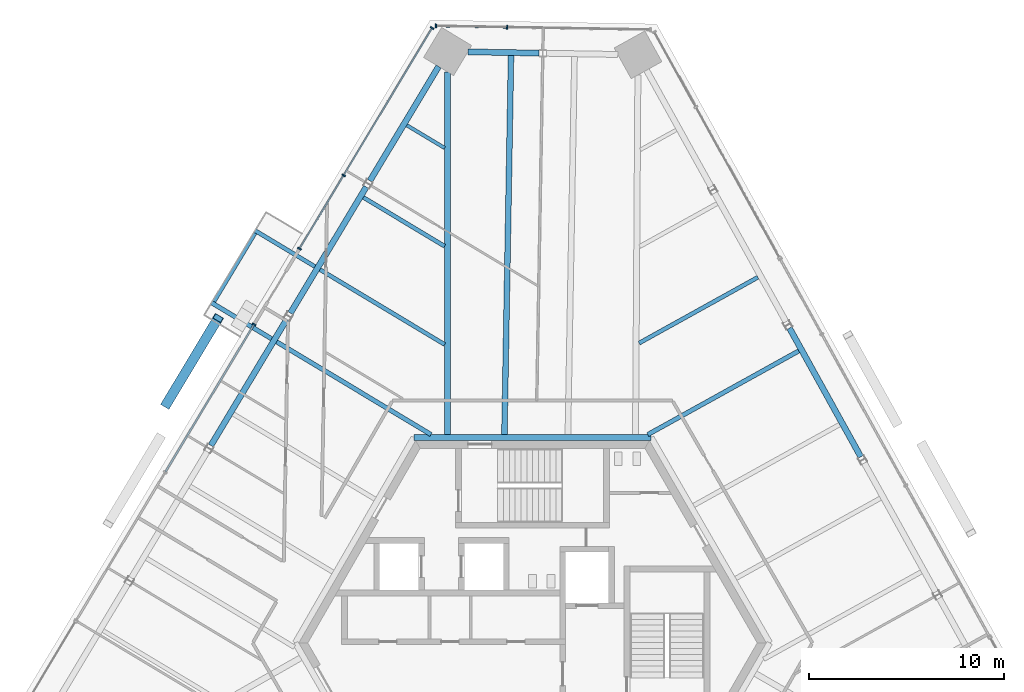
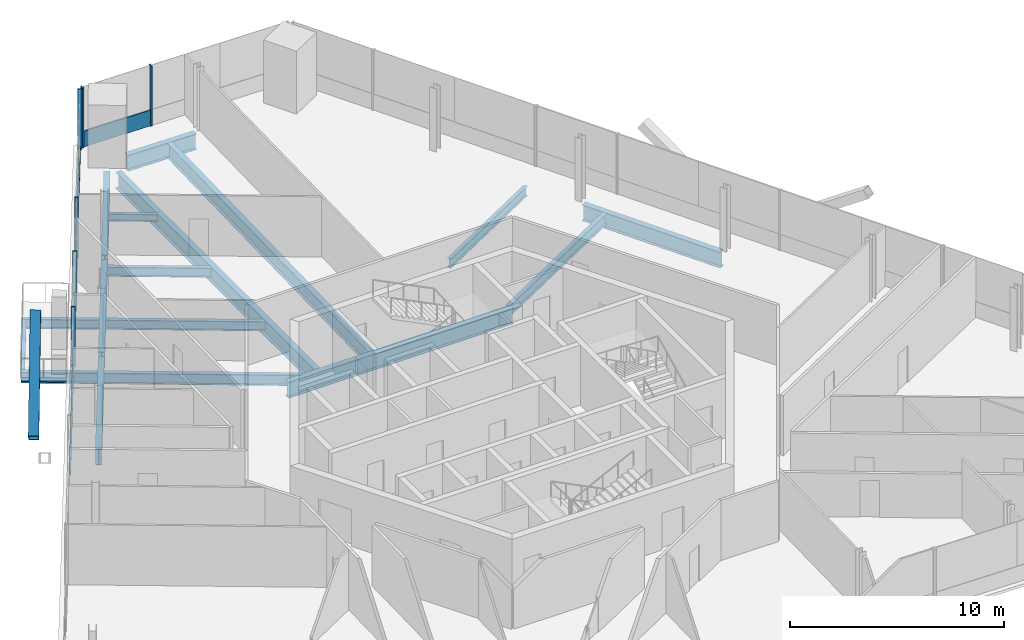
# One storey, part 8 of 18: 17 beams, 11 members, 3 elements without a shape of their own.
"""IFC4 building model written with IfcOpenShell, lengths in metres."""

from ifc_helpers import new_model, si_unit, direction, frame, origin, origin_2d, place, context, subcontext, project, spatial, rectangle, hollow_rectangle, i_section, extrude, source, transform, mapped, material, material_profile, profile_set, type_object, element, aggregate, save


model = new_model("IFC4")

# Units and contexts
model_context = context("Model", 3, precision=1e-05, world=origin(), true_north=direction((0.0, 1.0)))
body_context = subcontext(model_context, "Body", "Model", "MODEL_VIEW")
ifc_project = project(units=[si_unit("LENGTHUNIT", "METRE"), si_unit("AREAUNIT", "SQUARE_METRE"), si_unit("VOLUMEUNIT", "CUBIC_METRE"), si_unit("PLANEANGLEUNIT", "RADIAN"), si_unit("MASSUNIT", "GRAM", prefix="KILO")], contexts=[model_context])

# Site, building, storey
site_placement = place(None, origin())
site = spatial("IfcSite", under=ifc_project, at=site_placement, CompositionType="ELEMENT")
building_placement = place(site_placement, origin())
building = spatial("IfcBuilding", under=site, at=building_placement, Name="Triune Harvest Tower", CompositionType="ELEMENT")
storey_placement = place(building_placement, frame((0.0, 0.0, 197.89990234375)))
storey = spatial("IfcBuildingStorey", under=building, at=storey_placement, Name="L51", CompositionType="ELEMENT", Elevation=197.89990234375)

# Beams
ifc_material_1 = material(Name="Steel ASTM A992 Gr 50", Category="steel")
ifc_material_profile_1 = material_profile(ifc_material_1, i_section(OverallWidth=0.3046875, OverallDepth=0.914306640625, WebThickness=0.0166015625, FlangeThickness=0.02587890625, at=origin_2d()), Name="W36x160")
ifc_profile_set_1 = profile_set([ifc_material_profile_1], Name="Steel ASTM A992 Gr 50")
beam_type_1 = type_object("IfcBeamType", Name="CG-1 Core ring girder W36x160", PredefinedType="BEAM", material=ifc_profile_set_1)
shared_shape_1 = source(origin(), body_context, "Body", "SweptSolid", [
    extrude(i_section(OverallWidth=0.3046875, OverallDepth=0.914306640625, WebThickness=0.0166015625, FlangeThickness=0.02587890625, at=origin_2d()), origin(), (0.0, 0.0, 1.0), 12.17578125),
])
beam_1_placement = place(storey_placement, frame((6.087890625, 10.544677734375, -0.6171875), z_axis=(-1.0, 0.0, 0.0), x_axis=(0.0, -1.0, 0.0)))
element("IfcBeam", 1, at=beam_1_placement, inside=storey, type_object=beam_type_1, Name="beam/L51/CG2", PredefinedType="BEAM", context=body_context, shape_type="MappedRepresentation", body=[
    mapped(shared_shape_1, transform((0.0, 0.0, 0.0), scale=1.0)),
])
ifc_material_2 = material(Name="Steel ASTM A992 Gr 50", Category="steel")
ifc_material_profile_2 = material_profile(ifc_material_2, i_section(OverallWidth=0.3046875, OverallDepth=0.914306640625, WebThickness=0.0166015625, FlangeThickness=0.02587890625, at=origin_2d()), Name="W36x160")
ifc_profile_set_2 = profile_set([ifc_material_profile_2], Name="Steel ASTM A992 Gr 50")
beam_type_2 = type_object("IfcBeamType", Name="SB-1 Spandrel beam W36x160", PredefinedType="SPANDREL", material=ifc_profile_set_2)
shared_shape_2 = source(origin(), body_context, "Body", "SweptSolid", [
    extrude(i_section(OverallWidth=0.3046875, OverallDepth=0.914306640625, WebThickness=0.0166015625, FlangeThickness=0.02587890625, at=origin_2d()), origin(), (0.0, 0.0, 1.0), 7.556396484375),
])
beam_2_placement = place(storey_placement, frame((16.855712890625, 9.555419921875, -0.6171875), z_axis=(-0.484806011206, 0.874621707654, 0.0), x_axis=(-0.874621707654, -0.484806011206, 0.0)))
element("IfcBeam", 2, at=beam_2_placement, inside=storey, type_object=beam_type_2, Name="beam/L51/SB4", PredefinedType="SPANDREL", context=body_context, shape_type="MappedRepresentation", body=[
    mapped(shared_shape_2, transform((0.0, 0.0, 0.0), scale=1.0)),
])
shared_shape_3 = source(origin(), body_context, "Body", "SweptSolid", [
    extrude(i_section(OverallWidth=0.3046875, OverallDepth=0.914306640625, WebThickness=0.0166015625, FlangeThickness=0.02587890625, at=origin_2d()), origin(), (0.0, 0.0, 1.0), 3.66357421875),
])
beam_3_placement = place(storey_placement, frame((0.343017578125, 30.281494140625, -0.6171875), z_axis=(-0.999846408449, 0.01752596677, 0.0), x_axis=(-0.01752596677, -0.999846408449, 0.0)))
element("IfcBeam", 3, at=beam_3_placement, inside=storey, type_object=beam_type_2, Name="beam/L51/SB8", PredefinedType="SPANDREL", context=body_context, shape_type="MappedRepresentation", body=[
    mapped(shared_shape_3, transform((0.0, 0.0, 0.0), scale=1.0)),
])
shared_shape_4 = source(origin(), body_context, "Body", "SweptSolid", [
    extrude(i_section(OverallWidth=0.3046875, OverallDepth=0.914306640625, WebThickness=0.0166015625, FlangeThickness=0.02587890625, at=origin_2d()), origin(), (0.0, 0.0, 1.0), 6.842041015625),
])
beam_4_placement = place(storey_placement, frame((-4.822509765625, 29.59228515625, -0.6171875), z_axis=(-0.515041383774, -0.857165312527, 0.0), x_axis=(0.857165312527, -0.515041383774, 0.0)))
element("IfcBeam", 4, at=beam_4_placement, inside=storey, type_object=beam_type_2, Name="beam/L51/SB9", PredefinedType="SPANDREL", context=body_context, shape_type="MappedRepresentation", body=[
    mapped(shared_shape_4, transform((0.0, 0.0, 0.0), scale=1.0)),
])
shared_shape_5 = source(origin(), body_context, "Body", "SweptSolid", [
    extrude(i_section(OverallWidth=0.3046875, OverallDepth=0.914306640625, WebThickness=0.0166015625, FlangeThickness=0.02587890625, at=origin_2d()), origin(), (0.0, 0.0, 1.0), 7.556640625),
])
for number, where, z_axis, x_axis, name in (
    (5, (-8.537353515625, 23.409912109375, -0.6171875), (-0.515027794287, -0.857173477839, 0.0), (0.857173477839, -0.515027794287, 0.0), "beam/L51/SB10"),
    (6, (-12.6201171875, 16.614990234375, -0.6171875), (-0.515027794287, -0.857173477839, 0.0), (0.857173477839, -0.515027794287, 0.0), "beam/L51/SB11"),
):
    element("IfcBeam", number, at=place(storey_placement, frame(where, z_axis=z_axis, x_axis=x_axis)), inside=storey, type_object=beam_type_2, Name=name, PredefinedType="SPANDREL", context=body_context, shape_type="MappedRepresentation", body=[
        mapped(shared_shape_5, transform((0.0, 0.0, 0.0), scale=1.0)),
    ])
ifc_material_3 = material(Name="Steel ASTM A992 Gr 50", Category="steel")
ifc_material_profile_3 = material_profile(ifc_material_3, i_section(OverallWidth=0.307373046875, OverallDepth=0.922119140625, WebThickness=0.018310546875, FlangeThickness=0.030029296875, at=origin_2d()), Name="W36x182")
ifc_profile_set_3 = profile_set([ifc_material_profile_3], Name="Steel ASTM A992 Gr 50")
beam_type_3 = type_object("IfcBeamType", Name="HG-2 Hip girder W36x182", PredefinedType="BEAM", material=ifc_profile_set_3)
shared_shape_6 = source(origin(), body_context, "Body", "SweptSolid", [
    extrude(i_section(OverallWidth=0.307373046875, OverallDepth=0.922119140625, WebThickness=0.018310546875, FlangeThickness=0.030029296875, at=origin_2d()), origin(), (0.0, 0.0, 1.0), 18.61669921875),
])
beam_5_placement = place(storey_placement, frame((-4.359130859375, 29.313720703125, -0.620849609375), z_axis=(0.0, -1.0, 0.0), x_axis=(1.0, 0.0, 0.0)))
element("IfcBeam", 7, at=beam_5_placement, inside=storey, type_object=beam_type_3, Name="beam/L51/HG4", PredefinedType="BEAM", context=body_context, shape_type="MappedRepresentation", body=[
    mapped(shared_shape_6, transform((0.0, 0.0, 0.0), scale=1.0)),
])
ifc_material_4 = material(Name="Steel ASTM A992 Gr 50", Category="steel")
ifc_material_profile_4 = material_profile(ifc_material_4, i_section(OverallWidth=0.180908203125, OverallDepth=0.41650390625, WebThickness=0.010986328125, FlangeThickness=0.01806640625, at=origin_2d()), Name="W16x57")
ifc_profile_set_4 = profile_set([ifc_material_profile_4], Name="Steel ASTM A992 Gr 50")
beam_type_4 = type_object("IfcBeamType", Name="JT-1 Floor joist W16x57", PredefinedType="JOIST", material=ifc_profile_set_4)
shared_shape_7 = source(origin(), body_context, "Body", "SweptSolid", [
    extrude(i_section(OverallWidth=0.180908203125, OverallDepth=0.41650390625, WebThickness=0.010986328125, FlangeThickness=0.01806640625, at=origin_2d()), origin(), (0.0, 0.0, 1.0), 2.266357421875),
])
beam_6_placement = place(storey_placement, frame((-6.455322265625, 26.578857421875, -0.3681640625), z_axis=(0.857169580884, -0.515034280031, 0.0), x_axis=(0.515034280031, 0.857169580884, 0.0)))
element("IfcBeam", 8, at=beam_6_placement, inside=storey, type_object=beam_type_4, Name="beam/L51/JT13", PredefinedType="JOIST", context=body_context, shape_type="MappedRepresentation", body=[
    mapped(shared_shape_7, transform((0.0, 0.0, 0.0), scale=1.0)),
])
ifc_material_5 = material(Name="Steel ASTM A992 Gr 50", Category="steel")
ifc_material_profile_5 = material_profile(ifc_material_5, i_section(OverallWidth=0.22900390625, OverallDepth=0.612060546875, WebThickness=0.011962890625, FlangeThickness=0.01953125, at=origin_2d()), Name="W24x84")
ifc_profile_set_5 = profile_set([ifc_material_profile_5], Name="Steel ASTM A992 Gr 50")
beam_type_5 = type_object("IfcBeamType", Name="JT-3 Floor joist W24x84", PredefinedType="JOIST", material=ifc_profile_set_5)
shared_shape_8 = source(origin(), body_context, "Body", "SweptSolid", [
    extrude(i_section(OverallWidth=0.22900390625, OverallDepth=0.612060546875, WebThickness=0.011962890625, FlangeThickness=0.01953125, at=origin_2d()), origin(), (0.0, 0.0, 1.0), 9.247314453125),
])
beam_7_placement = place(storey_placement, frame((-13.136474609375, 15.459716796875, -0.466064453125), z_axis=(0.857168952485, -0.515035325872, 0.0), x_axis=(0.515035325872, 0.857168952485, 0.0)))
element("IfcBeam", 9, at=beam_7_placement, inside=storey, type_object=beam_type_5, Name="beam/L51/JT16", PredefinedType="JOIST", context=body_context, shape_type="MappedRepresentation", body=[
    mapped(shared_shape_8, transform((0.0, 0.0, 0.0), scale=1.0)),
])
shared_shape_9 = source(origin(), body_context, "Body", "SweptSolid", [
    extrude(i_section(OverallWidth=0.22900390625, OverallDepth=0.612060546875, WebThickness=0.011962890625, FlangeThickness=0.01953125, at=origin_2d()), origin(), (0.0, 0.0, 1.0), 8.85888671875),
])
beam_8_placement = place(storey_placement, frame((13.66796875, 14.991943359375, -0.466064453125), z_axis=(-0.874614472557, -0.484819063563, 0.0), x_axis=(0.484819063563, -0.874614472557, 0.0)))
element("IfcBeam", 10, at=beam_8_placement, inside=storey, type_object=beam_type_5, Name="beam/L51/JT7", PredefinedType="JOIST", context=body_context, shape_type="MappedRepresentation", body=[
    mapped(shared_shape_9, transform((0.0, 0.0, 0.0), scale=1.0)),
])
ifc_material_6 = material(Name="Steel ASTM A992 Gr 50", Category="steel")
ifc_material_profile_6 = material_profile(ifc_material_6, i_section(OverallWidth=0.2099609375, OverallDepth=0.535888671875, WebThickness=0.010986328125, FlangeThickness=0.017333984375, at=origin_2d()), Name="W21x68")
ifc_profile_set_6 = profile_set([ifc_material_profile_6], Name="Steel ASTM A992 Gr 50")
beam_type_6 = type_object("IfcBeamType", Name="JT-2 Floor joist W21x68", PredefinedType="JOIST", material=ifc_profile_set_6)
shared_shape_10 = source(origin(), body_context, "Body", "SweptSolid", [
    extrude(i_section(OverallWidth=0.2099609375, OverallDepth=0.535888671875, WebThickness=0.010986328125, FlangeThickness=0.017333984375, at=origin_2d()), origin(), (0.0, 0.0, 1.0), 6.97265625),
])
beam_9_placement = place(storey_placement, frame((11.57177734375, 18.773681640625, -0.427978515625), z_axis=(-0.874620980943, -0.484807322236, 0.0), x_axis=(0.484807322236, -0.874620980943, 0.0)))
element("IfcBeam", 11, at=beam_9_placement, inside=storey, type_object=beam_type_6, Name="beam/L51/JT8", PredefinedType="JOIST", context=body_context, shape_type="MappedRepresentation", body=[
    mapped(shared_shape_10, transform((0.0, 0.0, 0.0), scale=1.0)),
])
ifc_material_7 = material(Name="Steel ASTM A992 Gr 50", Category="steel")
ifc_material_profile_7 = material_profile(ifc_material_7, i_section(OverallWidth=0.2919921875, OverallDepth=0.8408203125, WebThickness=0.0146484375, FlangeThickness=0.021728515625, at=origin_2d()), Name="W33x130")
ifc_profile_set_7 = profile_set([ifc_material_profile_7], Name="Steel ASTM A992 Gr 50")
beam_type_7 = type_object("IfcBeamType", Name="JT-6 Floor joist W33x130", PredefinedType="JOIST", material=ifc_profile_set_7)
shared_shape_11 = source(origin(), body_context, "Body", "SweptSolid", [
    extrude(i_section(OverallWidth=0.2919921875, OverallDepth=0.8408203125, WebThickness=0.0146484375, FlangeThickness=0.021728515625, at=origin_2d()), origin(), (0.0, 0.0, 1.0), 19.460205078125),
])
beam_10_placement = place(storey_placement, frame((-1.103515625, 30.154296875, -0.580322265625), z_axis=(-0.017450947707, -0.999847720618, 0.0), x_axis=(0.999847720618, -0.017450947707, 0.0)))
element("IfcBeam", 12, at=beam_10_placement, inside=storey, type_object=beam_type_7, Name="beam/L51/JT12", PredefinedType="JOIST", context=body_context, shape_type="MappedRepresentation", body=[
    mapped(shared_shape_11, transform((0.0, 0.0, 0.0), scale=1.0)),
])
shared_shape_12 = source(origin(), body_context, "Body", "SweptSolid", [
    extrude(i_section(OverallWidth=0.2099609375, OverallDepth=0.535888671875, WebThickness=0.010986328125, FlangeThickness=0.017333984375, at=origin_2d()), origin(), (0.0, 0.0, 1.0), 4.864501953125),
])
beam_11_placement = place(storey_placement, frame((-8.682373046875, 22.87255859375, -0.427978515625), z_axis=(0.857169483424, -0.515034442233, 0.0), x_axis=(0.515034442233, 0.857169483424, 0.0)))
element("IfcBeam", 13, at=beam_11_placement, inside=storey, type_object=beam_type_6, Name="beam/L51/JT14", PredefinedType="JOIST", context=body_context, shape_type="MappedRepresentation", body=[
    mapped(shared_shape_12, transform((0.0, 0.0, 0.0), scale=1.0)),
])
shared_shape_13 = source(origin(), body_context, "Body", "SweptSolid", [
    extrude(i_section(OverallWidth=0.2099609375, OverallDepth=0.535888671875, WebThickness=0.010986328125, FlangeThickness=0.017333984375, at=origin_2d()), origin(), (0.0, 0.0, 1.0), 7.462646484375),
])
beam_12_placement = place(storey_placement, frame((-10.909423828125, 19.166259765625, -0.427978515625), z_axis=(0.857169453827, -0.515034491492, 0.0), x_axis=(0.515034491492, 0.857169453827, 0.0)))
element("IfcBeam", 14, at=beam_12_placement, inside=storey, type_object=beam_type_6, Name="beam/L51/JT15", PredefinedType="JOIST", context=body_context, shape_type="MappedRepresentation", body=[
    mapped(shared_shape_13, transform((0.0, 0.0, 0.0), scale=1.0)),
])

# Member
ifc_material_8 = material(Name="Steel ASTM A572 Gr 50", Category="steel")
ifc_material_profile_8 = material_profile(ifc_material_8, hollow_rectangle(XDim=0.5, YDim=0.5, WallThickness=0.030029296875, at=origin_2d()), Name="Box 500x500x30")
ifc_profile_set_8 = profile_set([ifc_material_profile_8], Name="Steel ASTM A572 Gr 50")
member_type_1 = type_object("IfcMemberType", Name="BR-3 Brace Box 500x500x30", PredefinedType="BRACE", material=ifc_profile_set_8)
shared_shape_14 = source(origin(), body_context, "Body", "SweptSolid", [
    extrude(hollow_rectangle(XDim=0.5, YDim=0.5, WallThickness=0.030029296875, at=origin_2d()), origin(), (0.0, 0.0, 1.0), 6.302734375),
])
member_1_placement = place(storey_placement, frame((-18.807861328125, 12.242919921875, 0.0), z_axis=(0.422753164689, 0.703581499304, 0.571185465136), x_axis=(-0.857167973286, 0.515036955541, 0.0)))
element("IfcMember", 15, at=member_1_placement, inside=storey, type_object=member_type_1, Name="brace/B5-F3/d2/6", PredefinedType="BRACE", context=body_context, shape_type="MappedRepresentation", body=[
    mapped(shared_shape_14, transform((0.0, 0.0, 0.0), scale=1.0)),
])

# Beam
ifc_material_9 = material(Name="Steel ASTM A992 Gr 50", Category="steel")
ifc_material_profile_9 = material_profile(ifc_material_9, i_section(OverallWidth=0.22900390625, OverallDepth=0.612060546875, WebThickness=0.011962890625, FlangeThickness=0.01953125, at=origin_2d()), Name="W24x84")
ifc_profile_set_9 = profile_set([ifc_material_profile_9], Name="Steel ASTM A992 Gr 50")
beam_type_8 = type_object("IfcBeamType", Name="BJ-3 Balcony cantilever joist W24x84", PredefinedType="JOIST", material=ifc_profile_set_9)
shared_shape_15 = source(origin(), body_context, "Body", "SweptSolid", [
    extrude(i_section(OverallWidth=0.22900390625, OverallDepth=0.612060546875, WebThickness=0.011962890625, FlangeThickness=0.01953125, at=origin_2d()), origin(), (0.0, 0.0, 1.0), 3.59765625),
])
beam_13_placement = place(storey_placement, frame((-13.397705078125, 15.61669921875, -0.466064453125), z_axis=(-0.857151436467, 0.515064476509, 0.0), x_axis=(-0.515064476509, -0.857151436467, 0.0)))
element("IfcBeam", 16, at=beam_13_placement, inside=storey, type_object=beam_type_8, Name="Balcony cantilever joist B5-F3 L51.4b", PredefinedType="JOIST", context=body_context, shape_type="MappedRepresentation", body=[
    mapped(shared_shape_15, transform((0.0, 0.0, 0.0), scale=1.0)),
])

# Curtain wall, members
ifc_material_10 = material(Name="Aluminium bronze anodised", Category="aluminium")
curtain_wall_type_1 = type_object("IfcCurtainWallType", Name="CW-1 Tower stick curtain wall", PredefinedType="NOTDEFINED", material=ifc_material_10)
curtain_wall_1_placement = place(storey_placement, origin())
curtain_wall_1 = element("IfcCurtainWall", 17, at=curtain_wall_1_placement, inside=storey, type_object=curtain_wall_type_1, Name="CW-1 B5-F2 L51 run 1")
ifc_material_11 = material(Name="Aluminium bronze anodised", Category="aluminium")
ifc_material_profile_10 = material_profile(ifc_material_11, rectangle(XDim=0.199951171875, YDim=0.074951171875, at=origin_2d()), Name="MU-1 mullion 75 x 200")
ifc_profile_set_10 = profile_set([ifc_material_profile_10], Name="Aluminium bronze anodised")
member_type_2 = type_object("IfcMemberType", Name="MU-1 mullion 75 x 200", PredefinedType="MULLION", material=ifc_profile_set_10)
shared_shape_16 = source(origin(), body_context, "Body", "SweptSolid", [
    extrude(rectangle(XDim=0.199951171875, YDim=0.074951171875, at=origin_2d()), origin(), (0.0, 0.0, 1.0), 3.440185546875),
])
member_2_placement = place(storey_placement, frame((-1.298583984375, 31.612548828125, 0.0), z_axis=(0.0, 0.0, 1.0), x_axis=(-0.017446318452, -0.999847801404, 0.0)))
member_2 = element("IfcMember", 18, at=member_2_placement, type_object=member_type_2, Name="CW-1 mullion B5-F2 1.3", PredefinedType="MULLION", context=body_context, shape_type="MappedRepresentation", body=[
    mapped(shared_shape_16, transform((0.0, 0.0, 0.0), scale=1.0)),
])
member_3_placement = place(storey_placement, frame((-4.960693359375, 31.676513671875, 0.0), z_axis=(0.0, 0.0, 1.0), x_axis=(-0.017446318452, -0.999847801404, 0.0)))
member_3 = element("IfcMember", 19, at=member_3_placement, type_object=member_type_2, Name="CW-1 mullion B5-F2 1.4", PredefinedType="MULLION", context=body_context, shape_type="MappedRepresentation", body=[
    mapped(shared_shape_16, transform((0.0, 0.0, 0.0), scale=1.0)),
])

ifc_material_12 = material(Name="Aluminium bronze anodised", Category="aluminium")
curtain_wall_type_2 = type_object("IfcCurtainWallType", Name="CW-6 Balcony window wall", PredefinedType="NOTDEFINED", material=ifc_material_12)
curtain_wall_2_placement = place(storey_placement, origin())
curtain_wall_2 = element("IfcCurtainWall", 20, at=curtain_wall_2_placement, inside=storey, type_object=curtain_wall_type_2, Name="CW-6 B5-F3 L51 run 1")
ifc_material_13 = material(Name="Aluminium bronze anodised", Category="aluminium")
ifc_material_profile_11 = material_profile(ifc_material_13, rectangle(XDim=0.199951171875, YDim=0.074951171875, at=origin_2d()), Name="MU-6 mullion 75 x 200")
ifc_profile_set_11 = profile_set([ifc_material_profile_11], Name="Aluminium bronze anodised")
member_type_3 = type_object("IfcMemberType", Name="MU-6 mullion 75 x 200", PredefinedType="MULLION", material=ifc_profile_set_11)
shared_shape_17 = source(origin(), body_context, "Body", "SweptSolid", [
    extrude(rectangle(XDim=0.199951171875, YDim=0.074951171875, at=origin_2d()), origin(), (0.0, 0.0, 1.0), 3.440185546875),
])
member_4_placement = place(storey_placement, frame((-5.15380859375, 31.5693359375, 0.0), z_axis=(0.0, 0.0, 1.0), x_axis=(0.857168167557, -0.515036632219, 0.0)))
member_4 = element("IfcMember", 21, at=member_4_placement, type_object=member_type_3, Name="CW-6 mullion B5-F3 1.1", PredefinedType="MULLION", context=body_context, shape_type="MappedRepresentation", body=[
    mapped(shared_shape_17, transform((0.0, 0.0, 0.0), scale=1.0)),
])
member_5_placement = place(storey_placement, frame((-9.6982421875, 24.006103515625, 0.0), z_axis=(0.0, 0.0, 1.0), x_axis=(0.857168167557, -0.515036632219, 0.0)))
member_5 = element("IfcMember", 22, at=member_5_placement, type_object=member_type_3, Name="CW-6 mullion B5-F3 1.3", PredefinedType="MULLION", context=body_context, shape_type="MappedRepresentation", body=[
    mapped(shared_shape_17, transform((0.0, 0.0, 0.0), scale=1.0)),
])
member_6_placement = place(storey_placement, frame((-11.9609375, 20.240234375, 0.0), z_axis=(0.0, 0.0, 1.0), x_axis=(0.857168167557, -0.515036632219, 0.0)))
member_6 = element("IfcMember", 23, at=member_6_placement, type_object=member_type_3, Name="CW-6 mullion B5-F3 1.4", PredefinedType="MULLION", context=body_context, shape_type="MappedRepresentation", body=[
    mapped(shared_shape_17, transform((0.0, 0.0, 0.0), scale=1.0)),
])

# Curtain wall, member
ifc_material_14 = material(Name="Aluminium bronze anodised", Category="aluminium")
curtain_wall_type_3 = type_object("IfcCurtainWallType", Name="CW-10 Balcony window wall with insulated spandrel infill", PredefinedType="NOTDEFINED", material=ifc_material_14)
curtain_wall_3_placement = place(storey_placement, origin())
curtain_wall_3 = element("IfcCurtainWall", 24, at=curtain_wall_3_placement, inside=storey, type_object=curtain_wall_type_3, Name="CW-10 B5-F3 L51 run 2")
member_7_placement = place(storey_placement, frame((-14.296875, 16.3525390625, 0.0), z_axis=(0.0, 0.0, 1.0), x_axis=(0.857167092928, -0.515038420705, 0.0)))
member_7 = element("IfcMember", 25, at=member_7_placement, type_object=member_type_3, Name="CW-10 mullion B5-F3 2.1", PredefinedType="MULLION", context=body_context, shape_type="MappedRepresentation", body=[
    mapped(shared_shape_17, transform((0.0, 0.0, 0.0), scale=1.0)),
])

# Beam
ifc_material_15 = material(Name="Steel ASTM A992 Gr 50", Category="steel")
ifc_material_profile_12 = material_profile(ifc_material_15, i_section(OverallWidth=0.2099609375, OverallDepth=0.535888671875, WebThickness=0.010986328125, FlangeThickness=0.017333984375, at=origin_2d()), Name="W21x68")
ifc_profile_set_12 = profile_set([ifc_material_profile_12], Name="Steel ASTM A992 Gr 50")
beam_type_9 = type_object("IfcBeamType", Name="BJ-2 Balcony cantilever joist W21x68", PredefinedType="JOIST", material=ifc_profile_set_12)
shared_shape_18 = source(origin(), body_context, "Body", "SweptSolid", [
    extrude(i_section(OverallWidth=0.2099609375, OverallDepth=0.535888671875, WebThickness=0.010986328125, FlangeThickness=0.017333984375, at=origin_2d()), origin(), (0.0, 0.0, 1.0), 3.59765625),
])
beam_14_placement = place(storey_placement, frame((-11.170654296875, 19.3232421875, -0.427978515625), z_axis=(-0.857181395869, 0.515014615886, 0.0), x_axis=(-0.515014615886, -0.857181395869, 0.0)))
element("IfcBeam", 26, at=beam_14_placement, inside=storey, type_object=beam_type_9, Name="Balcony cantilever joist B5-F3 L51.4a", PredefinedType="JOIST", context=body_context, shape_type="MappedRepresentation", body=[
    mapped(shared_shape_18, transform((0.0, 0.0, 0.0), scale=1.0)),
])

# Member
ifc_material_16 = material(Name="Aluminium bronze anodised", Category="aluminium")
ifc_material_profile_13 = material_profile(ifc_material_16, rectangle(XDim=0.090087890625, YDim=0.89990234375, at=origin_2d()), Name="TR-1 transom 90 x 900")
ifc_profile_set_13 = profile_set([ifc_material_profile_13], Name="Aluminium bronze anodised")
member_type_4 = type_object("IfcMemberType", Name="TR-1 transom 90 x 900", PredefinedType="USERDEFINED", material=ifc_profile_set_13)
shared_shape_19 = source(origin(), body_context, "Body", "SweptSolid", [
    extrude(rectangle(XDim=0.090087890625, YDim=0.89990234375, at=origin_2d()), origin(), (0.0, 0.0, 1.0), 3.58740234375),
])
member_8_placement = place(storey_placement, frame((-1.336181640625, 31.61328125, 0.4501953125), z_axis=(-0.999848228853, 0.017421804151, 0.0), x_axis=(-0.017421804151, -0.999848228853, 0.0)))
member_8 = element("IfcMember", 27, at=member_8_placement, type_object=member_type_4, Name="CW-1 transom B5-F2 1.2", ObjectType="TRANSOM", PredefinedType="USERDEFINED", context=body_context, shape_type="MappedRepresentation", body=[
    mapped(shared_shape_19, transform((0.0, 0.0, 0.0), scale=1.0)),
])

aggregate(curtain_wall_1, [member_2, member_3, member_8])

ifc_material_17 = material(Name="Aluminium bronze anodised", Category="aluminium")
ifc_material_profile_14 = material_profile(ifc_material_17, rectangle(XDim=0.090087890625, YDim=0.14990234375, at=origin_2d()), Name="TR-6 transom 90 x 150")
ifc_profile_set_14 = profile_set([ifc_material_profile_14], Name="Aluminium bronze anodised")
member_type_5 = type_object("IfcMemberType", Name="TR-6 transom 90 x 150", PredefinedType="USERDEFINED", material=ifc_profile_set_14)
shared_shape_20 = source(origin(), body_context, "Body", "SweptSolid", [
    extrude(rectangle(XDim=0.090087890625, YDim=0.14990234375, at=origin_2d()), origin(), (0.0, 0.0, 1.0), 8.748779296875),
])
member_9_placement = place(storey_placement, frame((-5.173095703125, 31.537353515625, 0.0751953125), z_axis=(-0.515025042297, -0.857175131351, 0.0), x_axis=(0.857175131351, -0.515025042297, 0.0)))
member_9 = element("IfcMember", 28, at=member_9_placement, type_object=member_type_5, Name="CW-6 transom B5-F3 1.1", ObjectType="TRANSOM", PredefinedType="USERDEFINED", context=body_context, shape_type="MappedRepresentation", body=[
    mapped(shared_shape_20, transform((0.0, 0.0, 0.0), scale=1.0)),
])

shared_shape_21 = source(origin(), body_context, "Body", "SweptSolid", [
    extrude(rectangle(XDim=0.090087890625, YDim=0.14990234375, at=origin_2d()), origin(), (0.0, 0.0, 1.0), 4.318359375),
])
member_10_placement = place(storey_placement, frame((-9.717529296875, 23.973876953125, 0.0751953125), z_axis=(-0.515052703283, -0.857158510919, 0.0), x_axis=(0.857158510919, -0.515052703283, 0.0)))
member_10 = element("IfcMember", 29, at=member_10_placement, type_object=member_type_5, Name="CW-6 transom B5-F3 1.2", ObjectType="TRANSOM", PredefinedType="USERDEFINED", context=body_context, shape_type="MappedRepresentation", body=[
    mapped(shared_shape_21, transform((0.0, 0.0, 0.0), scale=1.0)),
])

aggregate(curtain_wall_2, [member_4, member_5, member_6, member_9, member_10])

# Beam
ifc_material_18 = material(Name="Steel ASTM A992 Gr 50", Category="steel")
ifc_material_profile_15 = material_profile(ifc_material_18, i_section(OverallWidth=0.180908203125, OverallDepth=0.41650390625, WebThickness=0.010986328125, FlangeThickness=0.01806640625, at=origin_2d()), Name="W16x57")
ifc_profile_set_15 = profile_set([ifc_material_profile_15], Name="Steel ASTM A992 Gr 50")
beam_type_10 = type_object("IfcBeamType", Name="BE-1 balcony edge beam W16x57", PredefinedType="BEAM", material=ifc_profile_set_15)
shared_shape_22 = source(origin(), body_context, "Body", "SweptSolid", [
    extrude(i_section(OverallWidth=0.180908203125, OverallDepth=0.41650390625, WebThickness=0.010986328125, FlangeThickness=0.01806640625, at=origin_2d()), origin(), (0.0, 0.0, 1.0), 4.1044921875),
])
beam_15_placement = place(storey_placement, frame((-16.344970703125, 17.521240234375, -0.3681640625), z_axis=(0.51499426671, 0.857193621801, 0.0), x_axis=(-0.857193621801, 0.51499426671, 0.0)))
element("IfcBeam", 30, at=beam_15_placement, inside=storey, type_object=beam_type_10, Name="Balcony edge beam B5-F3 L51.4", PredefinedType="BEAM", context=body_context, shape_type="MappedRepresentation", body=[
    mapped(shared_shape_22, transform((0.0, 0.0, 0.0), scale=1.0)),
])

# Member
shared_shape_23 = source(origin(), body_context, "Body", "SweptSolid", [
    extrude(rectangle(XDim=0.090087890625, YDim=0.14990234375, at=origin_2d()), origin(), (0.0, 0.0, 1.0), 8.782958984375),
])
member_11_placement = place(storey_placement, frame((-14.316162109375, 16.3203125, 0.0751953125), z_axis=(-0.515055679002, -0.857156722851, 0.0), x_axis=(0.857156722851, -0.515055679002, 0.0)))
member_11 = element("IfcMember", 31, at=member_11_placement, type_object=member_type_5, Name="CW-10 transom B5-F3 2.1", ObjectType="TRANSOM", PredefinedType="USERDEFINED", context=body_context, shape_type="MappedRepresentation", body=[
    mapped(shared_shape_23, transform((0.0, 0.0, 0.0), scale=1.0)),
])

aggregate(curtain_wall_3, [member_7, member_11])

save(model, "model.ifc")
